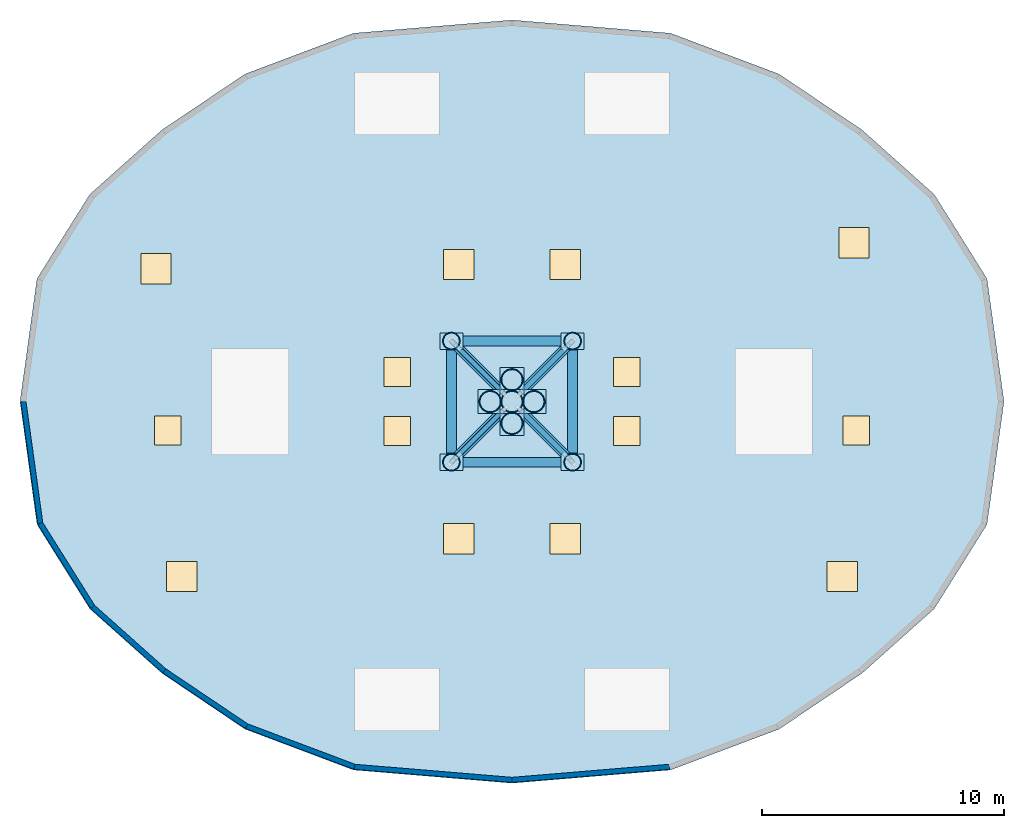
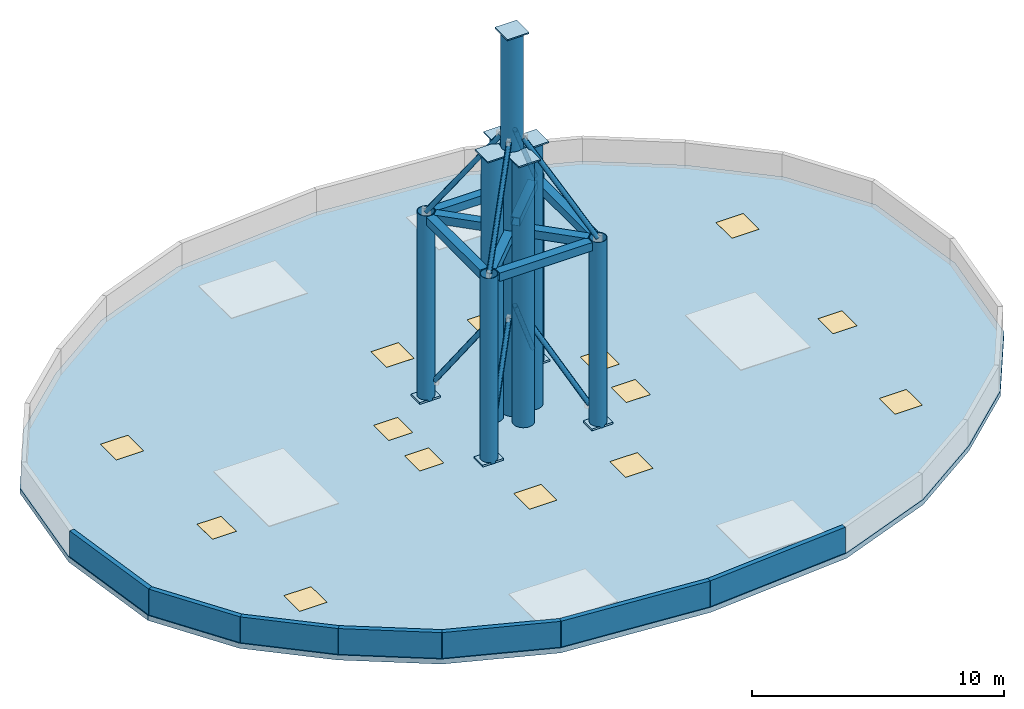
# One storey, part 1 of 3: 14 coverings, 13 members, 9 plates, 8 beams, 7 walls, 4 columns, 1 slab, 14 openings.
"""IFC4 building model written with IfcOpenShell, lengths in metres."""

from ifc_helpers import new_model, si_unit, direction, frame, frame_2d, origin, origin_2d, place, context, subcontext, project, spatial, polyline, rectangle, hollow_rectangle, hollow_circle, outline, extrude, material, layer, layer_set, material_profile, profile_set, type_object, element, fill, save


model = new_model("IFC4")

# Units and contexts
model_context = context("Model", 3, precision=1e-05, world=origin(), true_north=direction((0.0, 1.0)))
body_context = subcontext(model_context, "Body", "Model", "MODEL_VIEW")
ifc_project = project(units=[si_unit("LENGTHUNIT", "METRE"), si_unit("AREAUNIT", "SQUARE_METRE"), si_unit("VOLUMEUNIT", "CUBIC_METRE"), si_unit("PLANEANGLEUNIT", "RADIAN"), si_unit("MASSUNIT", "GRAM", prefix="KILO")], contexts=[model_context])

# Site, building, storey
site_placement = place(None, origin())
site = spatial("IfcSite", under=ifc_project, at=site_placement, CompositionType="ELEMENT")
building_placement = place(site_placement, origin())
building = spatial("IfcBuilding", under=site, at=building_placement, Name="Solvane Sanctuary Tower", CompositionType="ELEMENT")
storey_placement = place(building_placement, frame((0.0, 0.0, 279.60009765625)))
storey = spatial("IfcBuildingStorey", under=building, at=storey_placement, Name="Roof", CompositionType="ELEMENT", Elevation=279.60009765625)

# Columns
ifc_material_1 = material(Name="Steel ASTM A913 Grade 65", Category="steel")
ifc_material_profile_1 = material_profile(ifc_material_1, hollow_circle(Radius=0.35546875, WallThickness=0.02001953125, at=origin_2d()), Name="CHS711X20")
ifc_profile_set_1 = profile_set([ifc_material_profile_1], Name="Steel ASTM A913 Grade 65")
column_type = type_object("IfcColumnType", Name="Column C-SPIRE-U CHS711X20", PredefinedType="PILASTER", material=ifc_profile_set_1)
for number, where, z_axis, x_axis, name in (
    (1, (29.5, 20.5, 0.0), (0.0, 0.0, 1.0), (1.0, 0.0, 0.0), "Roof Spire Upper Pilaster Leg 1"),
    (2, (34.5, 20.5, 0.0), (0.0, 0.0, 1.0), (1.0, 0.0, 0.0), "Roof Spire Upper Pilaster Leg 2"),
    (3, (34.5, 25.5, 0.0), (0.0, 0.0, 1.0), (1.0, 0.0, 0.0), "Roof Spire Upper Pilaster Leg 3"),
    (4, (29.5, 25.5, 0.0), (0.0, 0.0, 1.0), (1.0, 0.0, 0.0), "Roof Spire Upper Pilaster Leg 4"),
):
    element("IfcColumn", number, at=place(storey_placement, frame(where, z_axis=z_axis, x_axis=x_axis)), inside=storey, type_object=column_type, Name=name, PredefinedType="PILASTER", context=body_context, shape_type="SweptSolid", body=[
        extrude(hollow_circle(Radius=0.35546875, WallThickness=0.02001953125, at=origin_2d()), origin(), (0.0, 0.0, 1.0), 9.0),
    ])

# Beams
ifc_material_profile_2 = material_profile(ifc_material_1, hollow_rectangle(XDim=0.39990234375, YDim=0.39990234375, WallThickness=0.01611328125, at=origin_2d()), Name="HSS400X400X16")
ifc_profile_set_2 = profile_set([ifc_material_profile_2], Name="Steel ASTM A913 Grade 65")
beam_type = type_object("IfcBeamType", Name="Beam B-CROWN-CAP HSS400X400X16", PredefinedType="T_BEAM", material=ifc_profile_set_2)
beam_1_placement = place(storey_placement, frame((29.8798828125, 20.5, 8.7998046875), z_axis=(1.0, 0.0, 0.0), x_axis=(0.0, 1.0, 0.0)))
element("IfcBeam", 5, at=beam_1_placement, inside=storey, type_object=beam_type, Name="Roof Spire Ring Tie Beam 1", PredefinedType="T_BEAM", context=body_context, shape_type="SweptSolid", body=[
    extrude(hollow_rectangle(XDim=0.39990234375, YDim=0.39990234375, WallThickness=0.01611328125, at=origin_2d()), origin(), (0.0, 0.0, 1.0), 4.240234375),
])
beam_2_placement = place(storey_placement, frame((29.768798828125, 20.768798828125, 8.7998046875), z_axis=(0.707106781187, 0.707106781187, 0.0), x_axis=(-0.707106781187, 0.707106781187, 0.0)))
element("IfcBeam", 6, at=beam_2_placement, inside=storey, type_object=beam_type, Name="Roof Spire Radial Tie 1", PredefinedType="T_BEAM", context=body_context, shape_type="SweptSolid", body=[
    extrude(hollow_rectangle(XDim=0.39990234375, YDim=0.39990234375, WallThickness=0.01611328125, at=origin_2d()), origin(), (0.0, 0.0, 1.0), 2.675537109375),
])
beam_3_placement = place(storey_placement, frame((34.5, 20.8798828125, 8.7998046875), z_axis=(0.0, 1.0, 0.0), x_axis=(-1.0, 0.0, 0.0)))
element("IfcBeam", 7, at=beam_3_placement, inside=storey, type_object=beam_type, Name="Roof Spire Ring Tie Beam 2", PredefinedType="T_BEAM", context=body_context, shape_type="SweptSolid", body=[
    extrude(hollow_rectangle(XDim=0.39990234375, YDim=0.39990234375, WallThickness=0.01611328125, at=origin_2d()), origin(), (0.0, 0.0, 1.0), 4.240234375),
])
beam_4_placement = place(storey_placement, frame((34.231201171875, 20.768798828125, 8.7998046875), z_axis=(-0.707106781187, 0.707106781187, 0.0), x_axis=(-0.707106781187, -0.707106781187, 0.0)))
element("IfcBeam", 8, at=beam_4_placement, inside=storey, type_object=beam_type, Name="Roof Spire Radial Tie 2", PredefinedType="T_BEAM", context=body_context, shape_type="SweptSolid", body=[
    extrude(hollow_rectangle(XDim=0.39990234375, YDim=0.39990234375, WallThickness=0.01611328125, at=origin_2d()), origin(), (0.0, 0.0, 1.0), 2.675537109375),
])
beam_5_placement = place(storey_placement, frame((34.1201171875, 25.5, 8.7998046875), z_axis=(-1.0, 0.0, 0.0), x_axis=(0.0, -1.0, 0.0)))
element("IfcBeam", 9, at=beam_5_placement, inside=storey, type_object=beam_type, Name="Roof Spire Ring Tie Beam 3", PredefinedType="T_BEAM", context=body_context, shape_type="SweptSolid", body=[
    extrude(hollow_rectangle(XDim=0.39990234375, YDim=0.39990234375, WallThickness=0.01611328125, at=origin_2d()), origin(), (0.0, 0.0, 1.0), 4.240234375),
])
beam_6_placement = place(storey_placement, frame((34.231201171875, 25.231201171875, 8.7998046875), z_axis=(-0.707106781187, -0.707106781187, 0.0), x_axis=(0.707106781187, -0.707106781187, 0.0)))
element("IfcBeam", 10, at=beam_6_placement, inside=storey, type_object=beam_type, Name="Roof Spire Radial Tie 3", PredefinedType="T_BEAM", context=body_context, shape_type="SweptSolid", body=[
    extrude(hollow_rectangle(XDim=0.39990234375, YDim=0.39990234375, WallThickness=0.01611328125, at=origin_2d()), origin(), (0.0, 0.0, 1.0), 2.675537109375),
])
beam_7_placement = place(storey_placement, frame((29.5, 25.1201171875, 8.7998046875), z_axis=(0.0, -1.0, 0.0), x_axis=(1.0, 0.0, 0.0)))
element("IfcBeam", 11, at=beam_7_placement, inside=storey, type_object=beam_type, Name="Roof Spire Ring Tie Beam 4", PredefinedType="T_BEAM", context=body_context, shape_type="SweptSolid", body=[
    extrude(hollow_rectangle(XDim=0.39990234375, YDim=0.39990234375, WallThickness=0.01611328125, at=origin_2d()), origin(), (0.0, 0.0, 1.0), 4.240234375),
])
beam_8_placement = place(storey_placement, frame((29.768798828125, 25.231201171875, 8.7998046875), z_axis=(0.707106781187, -0.707106781187, 0.0), x_axis=(0.707106781187, 0.707106781187, 0.0)))
element("IfcBeam", 12, at=beam_8_placement, inside=storey, type_object=beam_type, Name="Roof Spire Radial Tie 4", PredefinedType="T_BEAM", context=body_context, shape_type="SweptSolid", body=[
    extrude(hollow_rectangle(XDim=0.39990234375, YDim=0.39990234375, WallThickness=0.01611328125, at=origin_2d()), origin(), (0.0, 0.0, 1.0), 2.675537109375),
])

# Members
ifc_material_2 = material(Name="Steel ASTM A500 Grade C", Category="steel")
ifc_material_profile_3 = material_profile(ifc_material_2, hollow_circle(Radius=0.109619140625, WallThickness=0.008056640625, at=origin_2d()), Name="CHS219.1X8")
ifc_profile_set_3 = profile_set([ifc_material_profile_3], Name="Steel ASTM A500 Grade C")
member_type_1 = type_object("IfcMemberType", Name="Member M-SPIRE-BR CHS219.1X8", PredefinedType="USERDEFINED", material=ifc_profile_set_3)
member_1_placement = place(storey_placement, frame((29.75537109375, 20.75537109375, 0.865966796875), z_axis=(0.405548425979, 0.405548425979, 0.819183098197), x_axis=(-0.707106781187, 0.707106781187, 0.0)))
element("IfcMember", 13, at=member_1_placement, inside=storey, type_object=member_type_1, Name="Roof Spire Lower Lattice Brace 1", ObjectType="SPIRE", PredefinedType="USERDEFINED", context=body_context, shape_type="SweptSolid", body=[
    extrude(hollow_circle(Radius=0.109619140625, WallThickness=0.008056640625, at=origin_2d()), origin(), (0.0, 0.0, 1.0), 4.740234375),
])
member_2_placement = place(storey_placement, frame((29.51025390625, 20.51025390625, 8.980224609375), z_axis=(0.411548320472, 0.411548320472, 0.813176462911), x_axis=(-0.707106781187, 0.707106781187, 0.0)))
element("IfcMember", 14, at=member_2_placement, inside=storey, type_object=member_type_1, Name="Roof Spire Upper Taper Brace 1", ObjectType="SPIRE", PredefinedType="USERDEFINED", context=body_context, shape_type="SweptSolid", body=[
    extrude(hollow_circle(Radius=0.109619140625, WallThickness=0.008056640625, at=origin_2d()), origin(), (0.0, 0.0, 1.0), 5.2666015625),
])
member_3_placement = place(storey_placement, frame((34.24462890625, 20.75537109375, 0.865966796875), z_axis=(-0.405548425979, 0.405548425979, 0.819183098197), x_axis=(-0.707106781187, -0.707106781187, 0.0)))
element("IfcMember", 15, at=member_3_placement, inside=storey, type_object=member_type_1, Name="Roof Spire Lower Lattice Brace 2", ObjectType="SPIRE", PredefinedType="USERDEFINED", context=body_context, shape_type="SweptSolid", body=[
    extrude(hollow_circle(Radius=0.109619140625, WallThickness=0.008056640625, at=origin_2d()), origin(), (0.0, 0.0, 1.0), 4.740234375),
])
member_4_placement = place(storey_placement, frame((34.48974609375, 20.51025390625, 8.980224609375), z_axis=(-0.411548320472, 0.411548320472, 0.813176462911), x_axis=(-0.707106781187, -0.707106781187, 0.0)))
element("IfcMember", 16, at=member_4_placement, inside=storey, type_object=member_type_1, Name="Roof Spire Upper Taper Brace 2", ObjectType="SPIRE", PredefinedType="USERDEFINED", context=body_context, shape_type="SweptSolid", body=[
    extrude(hollow_circle(Radius=0.109619140625, WallThickness=0.008056640625, at=origin_2d()), origin(), (0.0, 0.0, 1.0), 5.2666015625),
])
member_5_placement = place(storey_placement, frame((34.24462890625, 25.24462890625, 0.865966796875), z_axis=(-0.405548425979, -0.405548425979, 0.819183098197), x_axis=(0.707106781187, -0.707106781187, 0.0)))
element("IfcMember", 17, at=member_5_placement, inside=storey, type_object=member_type_1, Name="Roof Spire Lower Lattice Brace 3", ObjectType="SPIRE", PredefinedType="USERDEFINED", context=body_context, shape_type="SweptSolid", body=[
    extrude(hollow_circle(Radius=0.109619140625, WallThickness=0.008056640625, at=origin_2d()), origin(), (0.0, 0.0, 1.0), 4.740234375),
])
member_6_placement = place(storey_placement, frame((34.48974609375, 25.48974609375, 8.980224609375), z_axis=(-0.411548320472, -0.411548320472, 0.813176462911), x_axis=(0.707106781187, -0.707106781187, 0.0)))
element("IfcMember", 18, at=member_6_placement, inside=storey, type_object=member_type_1, Name="Roof Spire Upper Taper Brace 3", ObjectType="SPIRE", PredefinedType="USERDEFINED", context=body_context, shape_type="SweptSolid", body=[
    extrude(hollow_circle(Radius=0.109619140625, WallThickness=0.008056640625, at=origin_2d()), origin(), (0.0, 0.0, 1.0), 5.2666015625),
])
member_7_placement = place(storey_placement, frame((29.75537109375, 25.24462890625, 0.865966796875), z_axis=(0.405548425979, -0.405548425979, 0.819183098197), x_axis=(0.707106781187, 0.707106781187, 0.0)))
element("IfcMember", 19, at=member_7_placement, inside=storey, type_object=member_type_1, Name="Roof Spire Lower Lattice Brace 4", ObjectType="SPIRE", PredefinedType="USERDEFINED", context=body_context, shape_type="SweptSolid", body=[
    extrude(hollow_circle(Radius=0.109619140625, WallThickness=0.008056640625, at=origin_2d()), origin(), (0.0, 0.0, 1.0), 4.740234375),
])
member_8_placement = place(storey_placement, frame((29.51025390625, 25.48974609375, 8.980224609375), z_axis=(0.411548320472, -0.411548320472, 0.813176462911), x_axis=(0.707106781187, 0.707106781187, 0.0)))
element("IfcMember", 20, at=member_8_placement, inside=storey, type_object=member_type_1, Name="Roof Spire Upper Taper Brace 4", ObjectType="SPIRE", PredefinedType="USERDEFINED", context=body_context, shape_type="SweptSolid", body=[
    extrude(hollow_circle(Radius=0.109619140625, WallThickness=0.008056640625, at=origin_2d()), origin(), (0.0, 0.0, 1.0), 5.2666015625),
])
ifc_material_profile_4 = material_profile(ifc_material_1, hollow_circle(Radius=0.449951171875, WallThickness=0.02490234375, at=origin_2d()), Name="CHS900X25")
ifc_profile_set_4 = profile_set([ifc_material_profile_4], Name="Steel ASTM A913 Grade 65")
member_type_2 = type_object("IfcMemberType", Name="Member M-SPIRE-MAST CHS900X25", PredefinedType="USERDEFINED", material=ifc_profile_set_4)
member_9_placement = place(storey_placement, frame((32.0, 23.0, 0.0), z_axis=(0.0, 0.0, 1.0), x_axis=(1.0, 0.0, 0.0)))
element("IfcMember", 21, at=member_9_placement, inside=storey, type_object=member_type_2, Name="Roof Needle Spire Central Mast", ObjectType="SPIRE", PredefinedType="USERDEFINED", context=body_context, shape_type="SweptSolid", body=[
    extrude(hollow_circle(Radius=0.449951171875, WallThickness=0.02490234375, at=origin_2d()), origin(), (0.0, 0.0, 1.0), 18.349853515625),
])
for number, where, z_axis, x_axis, name in (
    (22, (31.10009765625, 23.0, 0.0), (0.0, 0.0, 1.0), (1.0, 0.0, 0.0), "Roof Needle Spire Cluster Mast 1"),
    (23, (32.89990234375, 23.0, 0.0), (0.0, 0.0, 1.0), (1.0, 0.0, 0.0), "Roof Needle Spire Cluster Mast 2"),
    (24, (32.0, 22.10009765625, 0.0), (0.0, 0.0, 1.0), (1.0, 0.0, 0.0), "Roof Needle Spire Cluster Mast 3"),
    (25, (32.0, 23.89990234375, 0.0), (0.0, 0.0, 1.0), (1.0, 0.0, 0.0), "Roof Needle Spire Cluster Mast 4"),
):
    element("IfcMember", number, at=place(storey_placement, frame(where, z_axis=z_axis, x_axis=x_axis)), inside=storey, type_object=member_type_2, Name=name, ObjectType="SPIRE", PredefinedType="USERDEFINED", context=body_context, shape_type="SweptSolid", body=[
        extrude(hollow_circle(Radius=0.449951171875, WallThickness=0.02490234375, at=origin_2d()), origin(), (0.0, 0.0, 1.0), 12.75),
    ])

# Plates
ifc_material_3 = material(Name="Steel ASTM A572 Grade 50", Category="steel")
ifc_layer_1 = layer(ifc_material_3, 0.090087890625, Name="Steel ASTM A572 Grade 50")
ifc_layer_set_1 = layer_set([ifc_layer_1], Name="Steel ASTM A572 Grade 50")
plate_type_1 = type_object("IfcPlateType", Name="Plate PL-BASE-900", PredefinedType="USERDEFINED", material=ifc_layer_set_1)
for number, where, z_axis, x_axis, name in (
    (26, (29.5, 20.5, 0.0), (0.0, 0.0, 1.0), (1.0, 0.0, 0.0), "Roof Spire Anchorage Base Plate 1"),
    (27, (34.5, 20.5, 0.0), (0.0, 0.0, 1.0), (1.0, 0.0, 0.0), "Roof Spire Anchorage Base Plate 2"),
    (28, (34.5, 25.5, 0.0), (0.0, 0.0, 1.0), (1.0, 0.0, 0.0), "Roof Spire Anchorage Base Plate 3"),
    (29, (29.5, 25.5, 0.0), (0.0, 0.0, 1.0), (1.0, 0.0, 0.0), "Roof Spire Anchorage Base Plate 4"),
):
    element("IfcPlate", number, at=place(storey_placement, frame(where, z_axis=z_axis, x_axis=x_axis)), inside=storey, type_object=plate_type_1, Name=name, ObjectType="BASE PLATE", PredefinedType="USERDEFINED", context=body_context, shape_type="SweptSolid", body=[
        extrude(rectangle(XDim=0.9599609375, YDim=0.679931640625, at=origin_2d()), origin(), (0.0, 0.0, 1.0), 0.090087890625),
    ])
ifc_layer_2 = layer(ifc_material_3, 0.06005859375, Name="Steel ASTM A572 Grade 50")
ifc_layer_set_2 = layer_set([ifc_layer_2], Name="Steel ASTM A572 Grade 50")
plate_type_2 = type_object("IfcPlateType", Name="Plate PL-SPLICE-C", PredefinedType="SHEET", material=ifc_layer_set_2)
for number, where, z_axis, x_axis, name in (
    (30, (32.0, 23.0, 18.33984375), (0.0, 0.0, 1.0), (1.0, 0.0, 0.0), "Roof Spire Mast End Cap Plate"),
    (31, (31.10009765625, 23.0, 12.739990234375), (0.0, 0.0, 1.0), (1.0, 0.0, 0.0), "Roof Spire Fin Mast End Cap Plate 1"),
    (32, (32.89990234375, 23.0, 12.739990234375), (0.0, 0.0, 1.0), (1.0, 0.0, 0.0), "Roof Spire Fin Mast End Cap Plate 2"),
    (33, (32.0, 22.10009765625, 12.739990234375), (0.0, 0.0, 1.0), (1.0, 0.0, 0.0), "Roof Spire Fin Mast End Cap Plate 3"),
    (34, (32.0, 23.89990234375, 12.739990234375), (0.0, 0.0, 1.0), (1.0, 0.0, 0.0), "Roof Spire Fin Mast End Cap Plate 4"),
):
    element("IfcPlate", number, at=place(storey_placement, frame(where, z_axis=z_axis, x_axis=x_axis)), inside=storey, type_object=plate_type_2, Name=name, PredefinedType="SHEET", context=body_context, shape_type="SweptSolid", body=[
        extrude(rectangle(XDim=1.0, YDim=1.0, at=origin_2d()), origin(), (0.0, 0.0, 1.0), 0.06005859375),
    ])

# Slab, openings, coverings
ifc_material_4 = material(Name="Concrete C50/60", Category="concrete")
ifc_layer_3 = layer(ifc_material_4, 0.25, Name="Concrete C50/60")
ifc_layer_set_3 = layer_set([ifc_layer_3], Name="Concrete C50/60")
slab_type = type_object("IfcSlabType", Name="Slab SL-ROOF-250", PredefinedType="ROOF", material=ifc_layer_set_3)
slab_placement = place(storey_placement, frame((0.0, 0.0, -0.25)))
slab = element("IfcSlab", 35, at=slab_placement, inside=storey, type_object=slab_type, Name="Roof Main Crown Roof Slab", PredefinedType="ROOF", context=body_context, shape_type="SweptSolid", body=[
    extrude(outline(polyline([(52.300048828125, 23.0), (51.5986328125, 28.07275390625), (49.422119140625, 31.549560546875), (46.447509765625, 34.205810546875), (43.02294921875, 36.5126953125), (38.540283203125, 38.200927734375), (32.0, 38.7451171875), (25.459716796875, 38.200927734375), (20.97705078125, 36.5126953125), (17.552490234375, 34.205810546875), (14.577880859375, 31.549560546875), (12.4013671875, 28.07275390625), (11.699951171875, 23.0), (12.4013671875, 17.92724609375), (14.577880859375, 14.450439453125), (17.552490234375, 11.794189453125), (20.97705078125, 9.4873046875), (25.459716796875, 7.799072265625), (32.0, 7.2548828125), (38.540283203125, 7.799072265625), (43.02294921875, 9.4873046875), (46.447509765625, 11.794189453125), (49.422119140625, 14.450439453125), (51.5986328125, 17.92724609375), (52.300048828125, 23.0)])), origin(), (0.0, 0.0, 1.0), 0.25),
])
opening_1_placement = place(slab_placement, frame((29.800048828125, 28.659912109375, 0.0)))
opening_1 = element("IfcOpeningElement", 36, at=opening_1_placement, cuts=slab, Name="Opening RFG-SKY-2000", PredefinedType="OPENING", context=body_context, shape_type="SweptSolid", body=[
    extrude(rectangle(XDim=1.25, YDim=1.25, at=origin_2d()), frame((0.0, 0.0, -0.010009765625)), (0.0, 0.0, 1.0), 0.27001953125),
])
opening_2_placement = place(slab_placement, frame((34.199951171875, 28.659912109375, 0.0)))
opening_2 = element("IfcOpeningElement", 37, at=opening_2_placement, cuts=slab, Name="Opening RFG-SKY-2000", PredefinedType="OPENING", context=body_context, shape_type="SweptSolid", body=[
    extrude(rectangle(XDim=1.25, YDim=1.25, at=origin_2d()), frame((0.0, 0.0, -0.010009765625)), (0.0, 0.0, 1.0), 0.27001953125),
])
opening_3_placement = place(slab_placement, frame((29.800048828125, 17.340087890625, 0.0)))
opening_3 = element("IfcOpeningElement", 38, at=opening_3_placement, cuts=slab, Name="Opening RFG-SKY-2000", PredefinedType="OPENING", context=body_context, shape_type="SweptSolid", body=[
    extrude(rectangle(XDim=1.25, YDim=1.25, at=origin_2d()), frame((0.0, 0.0, -0.010009765625)), (0.0, 0.0, 1.0), 0.27001953125),
])
opening_4_placement = place(slab_placement, frame((34.199951171875, 17.340087890625, 0.0)))
opening_4 = element("IfcOpeningElement", 39, at=opening_4_placement, cuts=slab, Name="Opening RFG-SKY-2000", PredefinedType="OPENING", context=body_context, shape_type="SweptSolid", body=[
    extrude(rectangle(XDim=1.25, YDim=1.25, at=origin_2d()), frame((0.0, 0.0, -0.010009765625)), (0.0, 0.0, 1.0), 0.27001953125),
])
opening_5_placement = place(slab_placement, frame((46.110107421875, 29.550048828125, 0.0)))
opening_5 = element("IfcOpeningElement", 40, at=opening_5_placement, cuts=slab, Name="Opening RFG-SKY-2000", PredefinedType="OPENING", context=body_context, shape_type="SweptSolid", body=[
    extrude(rectangle(XDim=1.25, YDim=1.25, at=origin_2d()), frame((0.0, 0.0, -0.010009765625)), (0.0, 0.0, 1.0), 0.27001953125),
])
opening_6_placement = place(slab_placement, frame((17.31005859375, 28.47998046875, 0.0)))
opening_6 = element("IfcOpeningElement", 41, at=opening_6_placement, cuts=slab, Name="Opening RFG-SKY-2000", PredefinedType="OPENING", context=body_context, shape_type="SweptSolid", body=[
    extrude(rectangle(XDim=1.25, YDim=1.25, at=origin_2d()), frame((0.0, 0.0, -0.010009765625)), (0.0, 0.0, 1.0), 0.27001953125),
])
opening_7_placement = place(slab_placement, frame((18.3701171875, 15.780029296875, 0.0)))
opening_7 = element("IfcOpeningElement", 42, at=opening_7_placement, cuts=slab, Name="Opening RFG-SKY-2000", PredefinedType="OPENING", context=body_context, shape_type="SweptSolid", body=[
    extrude(rectangle(XDim=1.25, YDim=1.25, at=origin_2d()), frame((0.0, 0.0, -0.010009765625)), (0.0, 0.0, 1.0), 0.27001953125),
])
opening_8_placement = place(slab_placement, frame((45.6298828125, 15.780029296875, 0.0)))
opening_8 = element("IfcOpeningElement", 43, at=opening_8_placement, cuts=slab, Name="Opening RFG-SKY-2000", PredefinedType="OPENING", context=body_context, shape_type="SweptSolid", body=[
    extrude(rectangle(XDim=1.25, YDim=1.25, at=origin_2d()), frame((0.0, 0.0, -0.010009765625)), (0.0, 0.0, 1.0), 0.27001953125),
])
opening_9_placement = place(slab_placement, frame((46.2099609375, 21.800048828125, 0.0)))
opening_9 = element("IfcOpeningElement", 44, at=opening_9_placement, cuts=slab, Name="Opening RFG-HATCH-1200", PredefinedType="OPENING", context=body_context, shape_type="SweptSolid", body=[
    extrude(rectangle(XDim=1.10009765625, YDim=1.199951171875, at=origin_2d()), frame((0.0, 0.0, -0.010009765625)), (0.0, 0.0, 1.0), 0.27001953125),
])
opening_10_placement = place(slab_placement, frame((17.7900390625, 21.800048828125, 0.0)))
opening_10 = element("IfcOpeningElement", 45, at=opening_10_placement, cuts=slab, Name="Opening RFG-HATCH-1200", PredefinedType="OPENING", context=body_context, shape_type="SweptSolid", body=[
    extrude(rectangle(XDim=1.10009765625, YDim=1.199951171875, at=origin_2d()), frame((0.0, 0.0, -0.010009765625)), (0.0, 0.0, 1.0), 0.27001953125),
])
opening_11_placement = place(slab_placement, frame((36.72998046875, 24.219970703125, 0.0)))
opening_11 = element("IfcOpeningElement", 46, at=opening_11_placement, cuts=slab, Name="Opening RFG-HATCH-1200", PredefinedType="OPENING", context=body_context, shape_type="SweptSolid", body=[
    extrude(rectangle(XDim=1.10009765625, YDim=1.199951171875, at=origin_2d()), frame((0.0, 0.0, -0.010009765625)), (0.0, 0.0, 1.0), 0.27001953125),
])
opening_12_placement = place(slab_placement, frame((27.27001953125, 24.219970703125, 0.0)))
opening_12 = element("IfcOpeningElement", 47, at=opening_12_placement, cuts=slab, Name="Opening RFG-HATCH-1200", PredefinedType="OPENING", context=body_context, shape_type="SweptSolid", body=[
    extrude(rectangle(XDim=1.10009765625, YDim=1.199951171875, at=origin_2d()), frame((0.0, 0.0, -0.010009765625)), (0.0, 0.0, 1.0), 0.27001953125),
])
opening_13_placement = place(slab_placement, frame((36.72998046875, 21.780029296875, 0.0)))
opening_13 = element("IfcOpeningElement", 48, at=opening_13_placement, cuts=slab, Name="Opening RFG-HATCH-1200", PredefinedType="OPENING", context=body_context, shape_type="SweptSolid", body=[
    extrude(rectangle(XDim=1.10009765625, YDim=1.199951171875, at=origin_2d()), frame((0.0, 0.0, -0.010009765625)), (0.0, 0.0, 1.0), 0.27001953125),
])
opening_14_placement = place(slab_placement, frame((27.27001953125, 21.780029296875, 0.0)))
opening_14 = element("IfcOpeningElement", 49, at=opening_14_placement, cuts=slab, Name="Opening RFG-HATCH-1200", PredefinedType="OPENING", context=body_context, shape_type="SweptSolid", body=[
    extrude(rectangle(XDim=1.10009765625, YDim=1.199951171875, at=origin_2d()), frame((0.0, 0.0, -0.010009765625)), (0.0, 0.0, 1.0), 0.27001953125),
])
ifc_material_5 = material(Name="Anodised Aluminium 6063-T6", Category="aluminium")
ifc_layer_4 = layer(ifc_material_5, 0.050048828125, Name="Anodised Aluminium 6063-T6")
ifc_layer_set_4 = layer_set([ifc_layer_4], Name="Anodised Aluminium 6063-T6")
covering_type_1 = type_object("IfcCoveringType", Name="Covering RFG-HATCH-1200", PredefinedType="ROOFING", material=ifc_layer_set_4)
covering_1_placement = place(opening_9_placement, frame((0.0, 0.0, 0.199951171875)))
covering_1 = element("IfcCovering", 50, at=covering_1_placement, inside=storey, type_object=covering_type_1, Name="Roof Maintenance Access Dome Hatch 01", PredefinedType="ROOFING", context=body_context, shape_type="SweptSolid", body=[
    extrude(rectangle(XDim=1.10009765625, YDim=1.199951171875, at=origin_2d()), origin(), (0.0, 0.0, 1.0), 0.050048828125),
])
fill(opening_9, covering_1)
covering_2_placement = place(opening_10_placement, frame((0.0, 0.0, 0.199951171875)))
covering_2 = element("IfcCovering", 51, at=covering_2_placement, inside=storey, type_object=covering_type_1, Name="Roof Maintenance Access Dome Hatch 02", PredefinedType="ROOFING", context=body_context, shape_type="SweptSolid", body=[
    extrude(rectangle(XDim=1.10009765625, YDim=1.199951171875, at=origin_2d()), origin(), (0.0, 0.0, 1.0), 0.050048828125),
])
fill(opening_10, covering_2)
covering_3_placement = place(opening_11_placement, frame((0.0, 0.0, 0.199951171875)))
covering_3 = element("IfcCovering", 52, at=covering_3_placement, inside=storey, type_object=covering_type_1, Name="Roof Maintenance Access Dome Hatch 03", PredefinedType="ROOFING", context=body_context, shape_type="SweptSolid", body=[
    extrude(rectangle(XDim=1.10009765625, YDim=1.199951171875, at=origin_2d()), origin(), (0.0, 0.0, 1.0), 0.050048828125),
])
fill(opening_11, covering_3)
covering_4_placement = place(opening_12_placement, frame((0.0, 0.0, 0.199951171875)))
covering_4 = element("IfcCovering", 53, at=covering_4_placement, inside=storey, type_object=covering_type_1, Name="Roof Maintenance Access Dome Hatch 04", PredefinedType="ROOFING", context=body_context, shape_type="SweptSolid", body=[
    extrude(rectangle(XDim=1.10009765625, YDim=1.199951171875, at=origin_2d()), origin(), (0.0, 0.0, 1.0), 0.050048828125),
])
fill(opening_12, covering_4)
covering_5_placement = place(opening_13_placement, frame((0.0, 0.0, 0.199951171875)))
covering_5 = element("IfcCovering", 54, at=covering_5_placement, inside=storey, type_object=covering_type_1, Name="Roof Maintenance Access Dome Hatch 05", PredefinedType="ROOFING", context=body_context, shape_type="SweptSolid", body=[
    extrude(rectangle(XDim=1.10009765625, YDim=1.199951171875, at=origin_2d()), origin(), (0.0, 0.0, 1.0), 0.050048828125),
])
fill(opening_13, covering_5)
covering_6_placement = place(opening_14_placement, frame((0.0, 0.0, 0.199951171875)))
covering_6 = element("IfcCovering", 55, at=covering_6_placement, inside=storey, type_object=covering_type_1, Name="Roof Maintenance Access Dome Hatch 06", PredefinedType="ROOFING", context=body_context, shape_type="SweptSolid", body=[
    extrude(rectangle(XDim=1.10009765625, YDim=1.199951171875, at=origin_2d()), origin(), (0.0, 0.0, 1.0), 0.050048828125),
])
fill(opening_14, covering_6)
ifc_material_6 = material(Name="Clear Laminated Light-Well Glass", Category="glass")
ifc_layer_5 = layer(ifc_material_6, 0.050048828125, Name="Clear Laminated Light-Well Glass")
ifc_layer_set_5 = layer_set([ifc_layer_5], Name="Clear Laminated Light-Well Glass")
covering_type_2 = type_object("IfcCoveringType", Name="Covering RFG-SKY-2000", PredefinedType="ROOFING", material=ifc_layer_set_5)
covering_7_placement = place(opening_1_placement, frame((0.0, 0.0, 0.199951171875)))
covering_7 = element("IfcCovering", 56, at=covering_7_placement, inside=storey, type_object=covering_type_2, Name="Roof Central Light-Well Skylight 01", PredefinedType="ROOFING", context=body_context, shape_type="SweptSolid", body=[
    extrude(rectangle(XDim=1.25, YDim=1.25, at=origin_2d()), origin(), (0.0, 0.0, 1.0), 0.050048828125),
])
fill(opening_1, covering_7)
covering_8_placement = place(opening_2_placement, frame((0.0, 0.0, 0.199951171875)))
covering_8 = element("IfcCovering", 57, at=covering_8_placement, inside=storey, type_object=covering_type_2, Name="Roof Central Light-Well Skylight 02", PredefinedType="ROOFING", context=body_context, shape_type="SweptSolid", body=[
    extrude(rectangle(XDim=1.25, YDim=1.25, at=origin_2d()), origin(), (0.0, 0.0, 1.0), 0.050048828125),
])
fill(opening_2, covering_8)
covering_9_placement = place(opening_3_placement, frame((0.0, 0.0, 0.199951171875)))
covering_9 = element("IfcCovering", 58, at=covering_9_placement, inside=storey, type_object=covering_type_2, Name="Roof Central Light-Well Skylight 03", PredefinedType="ROOFING", context=body_context, shape_type="SweptSolid", body=[
    extrude(rectangle(XDim=1.25, YDim=1.25, at=origin_2d()), origin(), (0.0, 0.0, 1.0), 0.050048828125),
])
fill(opening_3, covering_9)
covering_10_placement = place(opening_4_placement, frame((0.0, 0.0, 0.199951171875)))
covering_10 = element("IfcCovering", 59, at=covering_10_placement, inside=storey, type_object=covering_type_2, Name="Roof Central Light-Well Skylight 04", PredefinedType="ROOFING", context=body_context, shape_type="SweptSolid", body=[
    extrude(rectangle(XDim=1.25, YDim=1.25, at=origin_2d()), origin(), (0.0, 0.0, 1.0), 0.050048828125),
])
fill(opening_4, covering_10)
covering_11_placement = place(opening_5_placement, frame((0.0, 0.0, 0.199951171875)))
covering_11 = element("IfcCovering", 60, at=covering_11_placement, inside=storey, type_object=covering_type_2, Name="Roof Central Light-Well Skylight 05", PredefinedType="ROOFING", context=body_context, shape_type="SweptSolid", body=[
    extrude(rectangle(XDim=1.25, YDim=1.25, at=origin_2d()), origin(), (0.0, 0.0, 1.0), 0.050048828125),
])
fill(opening_5, covering_11)
covering_12_placement = place(opening_6_placement, frame((0.0, 0.0, 0.199951171875)))
covering_12 = element("IfcCovering", 61, at=covering_12_placement, inside=storey, type_object=covering_type_2, Name="Roof Central Light-Well Skylight 06", PredefinedType="ROOFING", context=body_context, shape_type="SweptSolid", body=[
    extrude(rectangle(XDim=1.25, YDim=1.25, at=origin_2d()), origin(), (0.0, 0.0, 1.0), 0.050048828125),
])
fill(opening_6, covering_12)
covering_13_placement = place(opening_7_placement, frame((0.0, 0.0, 0.199951171875)))
covering_13 = element("IfcCovering", 62, at=covering_13_placement, inside=storey, type_object=covering_type_2, Name="Roof Central Light-Well Skylight 07", PredefinedType="ROOFING", context=body_context, shape_type="SweptSolid", body=[
    extrude(rectangle(XDim=1.25, YDim=1.25, at=origin_2d()), origin(), (0.0, 0.0, 1.0), 0.050048828125),
])
fill(opening_7, covering_13)
covering_14_placement = place(opening_8_placement, frame((0.0, 0.0, 0.199951171875)))
covering_14 = element("IfcCovering", 63, at=covering_14_placement, inside=storey, type_object=covering_type_2, Name="Roof Central Light-Well Skylight 08", PredefinedType="ROOFING", context=body_context, shape_type="SweptSolid", body=[
    extrude(rectangle(XDim=1.25, YDim=1.25, at=origin_2d()), origin(), (0.0, 0.0, 1.0), 0.050048828125),
])
fill(opening_8, covering_14)

# Walls
ifc_material_7 = material(Name="Precast concrete C40/50", Category="concrete")
ifc_layer_6 = layer(ifc_material_7, 0.2099609375, Name="Precast concrete C40/50")
ifc_layer_set_6 = layer_set([ifc_layer_6], Name="Precast concrete C40/50")
wall_type = type_object("IfcWallType", Name="Wall W-PARAPET-200", PredefinedType="PARAPET", material=ifc_layer_set_6)
wall_1_placement = place(storey_placement, frame((11.842041015625, 23.0, 0.0), z_axis=(0.0, 0.0, 1.0), x_axis=(0.137211863232, -0.99054172279, 0.0)))
element("IfcWall", 64, at=wall_1_placement, inside=storey, type_object=wall_type, Name="Roof Perimeter Parapet Wall 12", PredefinedType="PARAPET", context=body_context, shape_type="SweptSolid", body=[
    extrude(rectangle(XDim=5.076416015625, YDim=0.2099609375, at=frame_2d((2.5380859375, 0.0))), origin(), (0.0, 0.0, 1.0), 1.25),
])
wall_2_placement = place(storey_placement, frame((12.53857421875, 17.9716796875, 0.0), z_axis=(0.0, 0.0, 1.0), x_axis=(0.531287577287, -0.847191542817, 0.0)))
element("IfcWall", 65, at=wall_2_placement, inside=storey, type_object=wall_type, Name="Roof Perimeter Parapet Wall 13", PredefinedType="PARAPET", context=body_context, shape_type="SweptSolid", body=[
    extrude(rectangle(XDim=4.068115234375, YDim=0.2099609375, at=frame_2d((2.0341796875, 0.0))), origin(), (0.0, 0.0, 1.0), 1.25),
])
wall_3_placement = place(storey_placement, frame((14.699951171875, 14.525146484375, 0.0), z_axis=(0.0, 0.0, 1.0), x_axis=(0.746509940477, -0.665374262179, 0.0)))
element("IfcWall", 66, at=wall_3_placement, inside=storey, type_object=wall_type, Name="Roof Perimeter Parapet Wall 14", PredefinedType="PARAPET", context=body_context, shape_type="SweptSolid", body=[
    extrude(rectangle(XDim=3.956787109375, YDim=0.2099609375, at=frame_2d((1.978515625, 0.0))), origin(), (0.0, 0.0, 1.0), 1.25),
])
wall_4_placement = place(storey_placement, frame((17.65380859375, 11.892333984375, 0.0), z_axis=(0.0, 0.0, 1.0), x_axis=(0.829797855966, -0.55806408076, 0.0)))
element("IfcWall", 67, at=wall_4_placement, inside=storey, type_object=wall_type, Name="Roof Perimeter Parapet Wall 15", PredefinedType="PARAPET", context=body_context, shape_type="SweptSolid", body=[
    extrude(rectangle(XDim=4.097900390625, YDim=0.2099609375, at=frame_2d((2.048828125, 0.0))), origin(), (0.0, 0.0, 1.0), 1.25),
])
wall_5_placement = place(storey_placement, frame((21.05419921875, 9.60546875, 0.0), z_axis=(0.0, 0.0, 1.0), x_axis=(0.936025008685, -0.35193349246, 0.0)))
element("IfcWall", 68, at=wall_5_placement, inside=storey, type_object=wall_type, Name="Roof Perimeter Parapet Wall 16", PredefinedType="PARAPET", context=body_context, shape_type="SweptSolid", body=[
    extrude(rectangle(XDim=4.75537109375, YDim=0.2099609375, at=frame_2d((2.377685546875, 0.0))), origin(), (0.0, 0.0, 1.0), 1.25),
])
for number, where, z_axis, x_axis, name in (
    (69, (25.50537109375, 7.931884765625, 0.0), (0.0, 0.0, 1.0), (0.996573090317, -0.082716840216, 0.0), "Roof Perimeter Parapet Wall 17"),
    (70, (32.0, 7.392822265625, 0.0), (0.0, 0.0, 1.0), (0.996573090317, 0.082716840216, 0.0), "Roof Perimeter Parapet Wall 18"),
):
    element("IfcWall", number, at=place(storey_placement, frame(where, z_axis=z_axis, x_axis=x_axis)), inside=storey, type_object=wall_type, Name=name, PredefinedType="PARAPET", context=body_context, shape_type="SweptSolid", body=[
        extrude(rectangle(XDim=6.516845703125, YDim=0.2099609375, at=frame_2d((3.25830078125, 0.0))), origin(), (0.0, 0.0, 1.0), 1.25),
    ])

save(model, "model.ifc")
